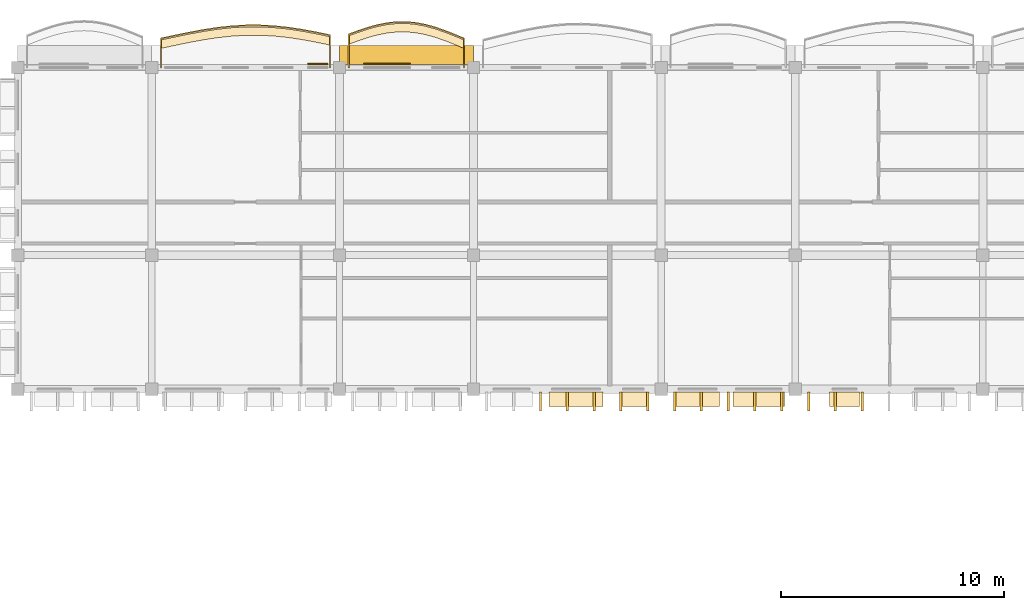
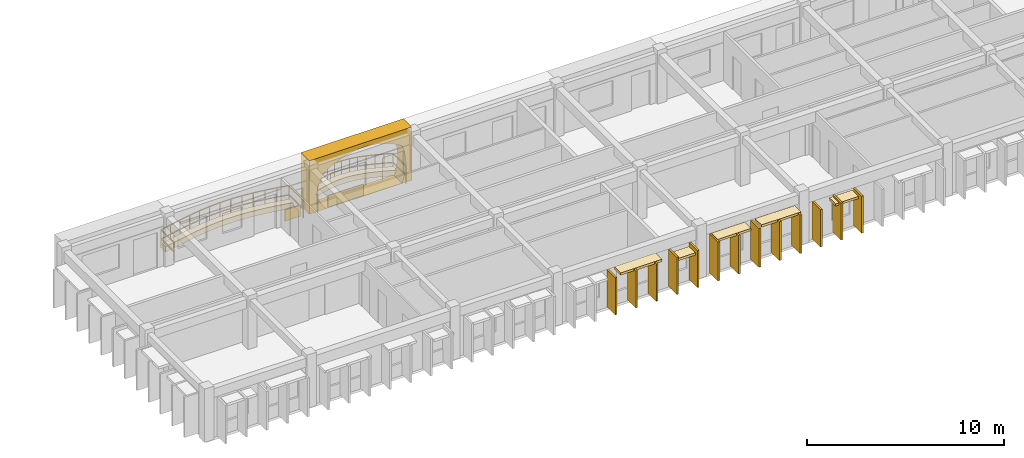
# One storey, part 47 of 59: 23 coverings, 2 railings.
"""IFC4 building model written with IfcOpenShell, lengths in metres."""

from ifc_helpers import new_model, si_unit, direction, frame, origin, origin_2d, place, context, subcontext, project, spatial, polyline, rectangle, outline, extrude, material, layer, layer_set, type_object, element, save


model = new_model("IFC4")

# Units and contexts
model_context = context("Model", 3, precision=1e-05, world=origin(), true_north=direction((0.0, 1.0)))
body_context = subcontext(model_context, "Body", "Model", "MODEL_VIEW")
ifc_project = project(units=[si_unit("LENGTHUNIT", "METRE"), si_unit("AREAUNIT", "SQUARE_METRE"), si_unit("VOLUMEUNIT", "CUBIC_METRE"), si_unit("PLANEANGLEUNIT", "RADIAN"), si_unit("MASSUNIT", "GRAM", prefix="KILO"), si_unit("THERMODYNAMICTEMPERATUREUNIT", "KELVIN")], contexts=[model_context])

# Site, building, storey
site_placement = place(None, origin())
site = spatial("IfcSite", under=ifc_project, at=site_placement, CompositionType="ELEMENT")
building_placement = place(site_placement, origin())
building = spatial("IfcBuilding", under=site, at=building_placement, Name="Thalorik Housing Commons", CompositionType="ELEMENT")
storey_placement = place(building_placement, frame((0.0, 0.0, 27.89990234375)))
storey = spatial("IfcBuildingStorey", under=building, at=storey_placement, Name="L08", CompositionType="ELEMENT", Elevation=27.89990234375)

# Coverings
ifc_material_1 = material(Name="Cobalt blue glazed ceramic facade tile panel", Category="masonry")
ifc_layer_1 = layer(ifc_material_1, 0.06005859375, Name="Cobalt blue glazed ceramic facade tile panel", Category="masonry")
ifc_layer_set_1 = layer_set([ifc_layer_1], Name="Cobalt blue glazed ceramic facade tile panel")
covering_type_1 = type_object("IfcCoveringType", Name="ARC-CLD-BLU-60", PredefinedType="CLADDING", material=ifc_layer_set_1)
covering_1_placement = place(storey_placement, frame((96.93505859375, 123.757568359375, 0.05029296875), z_axis=(0.0, 0.0, 1.0), x_axis=(-1.0, 0.0, 0.0)))
element("IfcCovering", 1, at=covering_1_placement, inside=storey, type_object=covering_type_1, Name="L08 De Stijl Recessed Window Spandrel 2723", PredefinedType="CLADDING", context=body_context, shape_type="SweptSolid", body=[
    extrude(rectangle(XDim=2.080078125, YDim=0.06005859375, at=origin_2d()), origin(), (0.0, 0.0, 1.0), 0.699951171875),
])
ifc_material_2 = material(Name="Precast concrete C40/50", Category="concrete")
ifc_layer_2 = layer(ifc_material_2, 0.85009765625, Name="Precast concrete C40/50", Category="concrete")
ifc_layer_set_2 = layer_set([ifc_layer_2], Name="Precast concrete C40/50")
covering_type_2 = type_object("IfcCoveringType", Name="ARC-CLD-CUSH-850", PredefinedType="CLADDING", material=ifc_layer_set_2)
covering_2_placement = place(storey_placement, frame((97.800048828125, 124.1474609375, 0.0), z_axis=(0.0, 0.0, 1.0), x_axis=(-1.0, 0.0, 0.0)))
element("IfcCovering", 2, at=covering_2_placement, inside=storey, type_object=covering_type_2, Name="L08 White Precast Curved Cushion Bay Frame 2722", PredefinedType="CLADDING", context=body_context, shape_type="SweptSolid", body=[
    extrude(outline(polyline([(-3.0, 0.0), (3.0, 0.0), (3.0, 3.300048828125), (-3.0, 3.300048828125), (-3.0, 0.0)]), holes=[polyline([(2.0400390625, 0.02490234375), (2.3232421875, 0.410888671875), (2.493408203125, 0.796630859375), (2.550048828125, 1.1826171875), (2.493408203125, 1.568359375), (2.3232421875, 1.9541015625), (2.0400390625, 2.340087890625), (1.66748046875, 2.552978515625), (1.294921875, 2.720458984375), (0.922607421875, 2.85595703125), (0.550048828125, 2.956787109375), (0.177490234375, 3.01904296875), (-0.195068359375, 3.0400390625), (-0.5673828125, 3.01904296875), (-0.93994140625, 2.956787109375), (-1.3125, 2.85595703125), (-1.68505859375, 2.720458984375), (-2.0576171875, 2.552978515625), (-2.429931640625, 2.340087890625), (-2.55029296875, 1.9541015625), (-2.62255859375, 1.568359375), (-2.646484375, 1.1826171875), (-2.62255859375, 0.796630859375), (-2.55029296875, 0.410888671875), (-2.429931640625, 0.02490234375), (2.0400390625, 0.02490234375)])]), frame((0.0, 0.425048828125, 0.0), z_axis=(0.0, -1.0, 0.0), x_axis=(1.0, 0.0, 0.0)), (0.0, 0.0, 1.0), 0.85009765625),
])
ifc_layer_3 = layer(ifc_material_2, 0.85009765625, Name="Precast concrete C40/50", Category="concrete")
ifc_layer_set_3 = layer_set([ifc_layer_3], Name="Precast concrete C40/50")
covering_type_3 = type_object("IfcCoveringType", Name="ARC-CLD-FIN-850", PredefinedType="CLADDING", material=ifc_layer_set_3)
for number, where, z_axis, x_axis, name in (
    (3, (103.800048828125, 108.652587890625, 0.0400390625), (0.0, 0.0, 1.0), (1.0, 0.0, 0.0), "L08 Courtyard Precast Vertical Brise-Soleil Fin 2771"),
    (4, (105.0, 108.652587890625, 0.0400390625), (0.0, 0.0, 1.0), (1.0, 0.0, 0.0), "L08 Courtyard Precast Vertical Brise-Soleil Fin 2772"),
    (5, (106.199951171875, 108.652587890625, 0.0400390625), (0.0, 0.0, 1.0), (1.0, 0.0, 0.0), "L08 Courtyard Precast Vertical Brise-Soleil Fin 2773"),
    (6, (107.39990234375, 108.652587890625, 0.0400390625), (0.0, 0.0, 1.0), (1.0, 0.0, 0.0), "L08 Courtyard Precast Vertical Brise-Soleil Fin 2774"),
    (7, (108.60009765625, 108.652587890625, 0.0400390625), (0.0, 0.0, 1.0), (1.0, 0.0, 0.0), "L08 Courtyard Precast Vertical Brise-Soleil Fin 2775"),
):
    element("IfcCovering", number, at=place(storey_placement, frame(where, z_axis=z_axis, x_axis=x_axis)), inside=storey, type_object=covering_type_3, Name=name, PredefinedType="CLADDING", context=body_context, shape_type="SweptSolid", body=[
        extrude(rectangle(XDim=0.110107421875, YDim=0.85009765625, at=origin_2d()), origin(), (0.0, 0.0, 1.0), 2.294921875),
    ])
for number, where, z_axis, x_axis, name in (
    (8, (109.800048828125, 108.652587890625, 0.0400390625), (0.0, 0.0, 1.0), (1.0, 0.0, 0.0), "L08 Courtyard Precast Vertical Brise-Soleil Fin 2779"),
    (9, (111.0, 108.652587890625, 0.0400390625), (0.0, 0.0, 1.0), (1.0, 0.0, 0.0), "L08 Courtyard Precast Vertical Brise-Soleil Fin 2780"),
    (10, (112.199951171875, 108.652587890625, 0.0400390625), (0.0, 0.0, 1.0), (1.0, 0.0, 0.0), "L08 Courtyard Precast Vertical Brise-Soleil Fin 2781"),
    (11, (113.39990234375, 108.652587890625, 0.0400390625), (0.0, 0.0, 1.0), (1.0, 0.0, 0.0), "L08 Courtyard Precast Vertical Brise-Soleil Fin 2782"),
    (12, (114.60009765625, 108.652587890625, 0.0400390625), (0.0, 0.0, 1.0), (1.0, 0.0, 0.0), "L08 Courtyard Precast Vertical Brise-Soleil Fin 2783"),
):
    element("IfcCovering", number, at=place(storey_placement, frame(where, z_axis=z_axis, x_axis=x_axis)), inside=storey, type_object=covering_type_3, Name=name, PredefinedType="CLADDING", context=body_context, shape_type="SweptSolid", body=[
        extrude(rectangle(XDim=0.110107421875, YDim=0.85009765625, at=origin_2d()), origin(), (0.0, 0.0, 1.0), 2.39501953125),
    ])
for number, where, z_axis, x_axis, name in (
    (13, (115.800048828125, 108.652587890625, 0.0400390625), (0.0, 0.0, 1.0), (1.0, 0.0, 0.0), "L08 Courtyard Precast Vertical Brise-Soleil Fin 2786"),
    (14, (117.0, 108.652587890625, 0.0400390625), (0.0, 0.0, 1.0), (1.0, 0.0, 0.0), "L08 Courtyard Precast Vertical Brise-Soleil Fin 2787"),
    (15, (118.199951171875, 108.652587890625, 0.0400390625), (0.0, 0.0, 1.0), (1.0, 0.0, 0.0), "L08 Courtyard Precast Vertical Brise-Soleil Fin 2788"),
):
    element("IfcCovering", number, at=place(storey_placement, frame(where, z_axis=z_axis, x_axis=x_axis)), inside=storey, type_object=covering_type_3, Name=name, PredefinedType="CLADDING", context=body_context, shape_type="SweptSolid", body=[
        extrude(rectangle(XDim=0.110107421875, YDim=0.85009765625, at=origin_2d()), origin(), (0.0, 0.0, 1.0), 2.294921875),
    ])
ifc_layer_4 = layer(ifc_material_2, 0.64990234375, Name="Precast concrete C40/50", Category="concrete")
ifc_layer_set_4 = layer_set([ifc_layer_4], Name="Precast concrete C40/50")
covering_type_4 = type_object("IfcCoveringType", Name="ARC-CLD-HOOD-650", PredefinedType="CLADDING", material=ifc_layer_set_4)
covering_3_placement = place(storey_placement, frame((105.387451171875, 108.75244140625, 2.22509765625), z_axis=(0.0, 0.0, 1.0), x_axis=(1.0, 0.0, 0.0)))
element("IfcCovering", 16, at=covering_3_placement, inside=storey, type_object=covering_type_4, Name="L08 Courtyard Precast Window Sun-Hood 2777", PredefinedType="CLADDING", context=body_context, shape_type="SweptSolid", body=[
    extrude(rectangle(XDim=2.419921875, YDim=0.64990234375, at=origin_2d()), origin(), (0.0, 0.0, 1.0), 0.139892578125),
])
covering_4_placement = place(storey_placement, frame((107.955078125, 108.75244140625, 1.93994140625), z_axis=(0.0, 0.0, 1.0), x_axis=(1.0, 0.0, 0.0)))
element("IfcCovering", 17, at=covering_4_placement, inside=storey, type_object=covering_type_4, Name="L08 Courtyard Precast Window Sun-Hood 2778", PredefinedType="CLADDING", context=body_context, shape_type="SweptSolid", body=[
    extrude(rectangle(XDim=1.18994140625, YDim=0.64990234375, at=origin_2d()), origin(), (0.0, 0.0, 1.0), 0.139892578125),
])
covering_5_placement = place(storey_placement, frame((110.830078125, 108.75244140625, 2.31005859375), z_axis=(0.0, 0.0, 1.0), x_axis=(1.0, 0.0, 0.0)))
element("IfcCovering", 18, at=covering_5_placement, inside=storey, type_object=covering_type_4, Name="L08 Courtyard Precast Window Sun-Hood 2784", PredefinedType="CLADDING", context=body_context, shape_type="SweptSolid", body=[
    extrude(rectangle(XDim=1.9599609375, YDim=0.64990234375, at=origin_2d()), origin(), (0.0, 0.0, 1.0), 0.139892578125),
])
covering_6_placement = place(storey_placement, frame((113.570068359375, 108.75244140625, 2.31005859375), z_axis=(0.0, 0.0, 1.0), x_axis=(1.0, 0.0, 0.0)))
element("IfcCovering", 19, at=covering_6_placement, inside=storey, type_object=covering_type_4, Name="L08 Courtyard Precast Window Sun-Hood 2785", PredefinedType="CLADDING", context=body_context, shape_type="SweptSolid", body=[
    extrude(rectangle(XDim=2.320068359375, YDim=0.64990234375, at=origin_2d()), origin(), (0.0, 0.0, 1.0), 0.139892578125),
])
covering_7_placement = place(storey_placement, frame((117.409912109375, 108.75244140625, 2.09033203125), z_axis=(0.0, 0.0, 1.0), x_axis=(1.0, 0.0, 0.0)))
element("IfcCovering", 20, at=covering_7_placement, inside=storey, type_object=covering_type_4, Name="L08 Courtyard Precast Window Sun-Hood 2793", PredefinedType="CLADDING", context=body_context, shape_type="SweptSolid", body=[
    extrude(rectangle(XDim=1.340087890625, YDim=0.64990234375, at=origin_2d()), origin(), (0.0, 0.0, 1.0), 0.139892578125),
])
ifc_material_3 = material(Name="Mineral ochre architectural terracotta panel", Category="masonry")
ifc_layer_5 = layer(ifc_material_3, 0.06494140625, Name="Mineral ochre architectural terracotta panel", Category="masonry")
ifc_layer_set_5 = layer_set([ifc_layer_5], Name="Mineral ochre architectural terracotta panel")
covering_type_5 = type_object("IfcCoveringType", Name="ARC-CLD-YEL-65", PredefinedType="CLADDING", material=ifc_layer_set_5)
covering_8_placement = place(storey_placement, frame((93.83056640625, 123.760009765625, 0.05029296875), z_axis=(0.0, 0.0, 1.0), x_axis=(-1.0, 0.0, 0.0)))
element("IfcCovering", 21, at=covering_8_placement, inside=storey, type_object=covering_type_5, Name="L08 De Stijl Recessed Window Spandrel 2725", PredefinedType="CLADDING", context=body_context, shape_type="SweptSolid", body=[
    extrude(rectangle(XDim=0.89990234375, YDim=0.06494140625, at=origin_2d()), origin(), (0.0, 0.0, 1.0), 0.699951171875),
])
ifc_material_4 = material(Name="Planted vegetated substrate and terracotta trough", Category="masonry")
ifc_layer_6 = layer(ifc_material_4, 0.340087890625, Name="Planted vegetated substrate and terracotta trough", Category="masonry")
ifc_layer_set_6 = layer_set([ifc_layer_6], Name="Planted vegetated substrate and terracotta trough")
covering_type_6 = type_object("IfcCoveringType", Name="ARC-COV-PLANTER", PredefinedType="USERDEFINED", material=ifc_layer_set_6)
covering_9_placement = place(storey_placement, origin())
element("IfcCovering", 22, at=covering_9_placement, inside=storey, type_object=covering_type_6, Name="L08 Balcony Slab-Edge Planted Trough 5513", ObjectType="PLANTER", PredefinedType="USERDEFINED", context=body_context, shape_type="SweptSolid", body=[
    extrude(outline(polyline([(94.3798828125, 124.978515625), (93.75, 125.110107421875), (93.1201171875, 125.226806640625), (92.489990234375, 125.32080078125), (91.860107421875, 125.386474609375), (91.22998046875, 125.4189453125), (90.60009765625, 125.41650390625), (89.969970703125, 125.379638671875), (89.340087890625, 125.310791015625), (88.7099609375, 125.214599609375), (88.080078125, 125.09765625), (87.449951171875, 124.968017578125), (86.820068359375, 124.834228515625), (86.820068359375, 124.4541015625), (87.449951171875, 124.587890625), (88.080078125, 124.717529296875), (88.7099609375, 124.83447265625), (89.340087890625, 124.9306640625), (89.969970703125, 124.99951171875), (90.60009765625, 125.03662109375), (91.22998046875, 125.038818359375), (91.860107421875, 125.00634765625), (92.489990234375, 124.94091796875), (93.1201171875, 124.8466796875), (93.75, 124.72998046875), (94.3798828125, 124.5986328125), (94.3798828125, 124.978515625)])), origin(), (0.0, 0.0, 1.0), 0.340087890625),
])
covering_10_placement = place(storey_placement, origin())
element("IfcCovering", 23, at=covering_10_placement, inside=storey, type_object=covering_type_6, Name="L08 Balcony Slab-Edge Planted Trough 5514", ObjectType="PLANTER", PredefinedType="USERDEFINED", context=body_context, shape_type="SweptSolid", body=[
    extrude(outline(polyline([(100.3798828125, 124.83154296875), (99.949951171875, 125.009521484375), (99.52001953125, 125.17822265625), (99.090087890625, 125.3271484375), (98.659912109375, 125.446533203125), (98.22998046875, 125.529296875), (97.800048828125, 125.570556640625), (97.3701171875, 125.56787109375), (96.93994140625, 125.522216796875), (96.510009765625, 125.43701171875), (96.080078125, 125.31884765625), (95.64990234375, 125.17578125), (95.219970703125, 125.017578125), (95.219970703125, 124.6376953125), (95.64990234375, 124.795654296875), (96.080078125, 124.938720703125), (96.510009765625, 125.05712890625), (96.93994140625, 125.14208984375), (97.3701171875, 125.187744140625), (97.800048828125, 125.1904296875), (98.22998046875, 125.1494140625), (98.659912109375, 125.066650390625), (99.090087890625, 124.947021484375), (99.52001953125, 124.798095703125), (99.949951171875, 124.62939453125), (100.3798828125, 124.45166015625), (100.3798828125, 124.83154296875)])), origin(), (0.0, 0.0, 1.0), 0.340087890625),
])

# Railings
ifc_material_5 = material(Name="Steel S355", Category="steel")
railing_type_1 = type_object("IfcRailingType", Name="ARC-RL-BAL-112", PredefinedType="BALUSTRADE", material=ifc_material_5)
railing_1_placement = place(storey_placement, frame((100.3798828125, 123.60009765625, 0.0)))
element("IfcRailing", 24, at=railing_1_placement, inside=storey, type_object=railing_type_1, Name="L08 Cushion Balcony Guardrail 198", PredefinedType="BALUSTRADE", context=body_context, shape_type="SweptSolid", body=[
    extrude(rectangle(XDim=0.050048828125, YDim=0.050048828125, at=origin_2d()), frame((0.0, 0.0, 1.09521484375), z_axis=(0.0, 1.0, 0.0), x_axis=(-1.0, 0.0, 0.0)), (0.0, 0.0, 1.0), 1.301513671875),
    extrude(rectangle(XDim=0.050048828125, YDim=0.050048828125, at=origin_2d()), frame((0.0, 0.0, 0.53515625), z_axis=(0.0, 1.0, 0.0), x_axis=(-1.0, 0.0, 0.0)), (0.0, 0.0, 1.0), 1.301513671875),
    extrude(rectangle(XDim=0.050048828125, YDim=0.050048828125, at=origin_2d()), frame((0.0, 1.301513671875, 1.09521484375), z_axis=(-0.923959293734, 0.382490814953, 0.0), x_axis=(-0.382490814953, -0.923959293734, 0.0)), (0.0, 0.0, 1.0), 0.46533203125),
    extrude(rectangle(XDim=0.050048828125, YDim=0.050048828125, at=origin_2d()), frame((0.0, 1.301513671875, 0.53515625), z_axis=(-0.923959293734, 0.382490814953, 0.0), x_axis=(-0.382490814953, -0.923959293734, 0.0)), (0.0, 0.0, 1.0), 0.46533203125),
    extrude(rectangle(XDim=0.050048828125, YDim=0.050048828125, at=origin_2d()), frame((-0.429931640625, 1.4794921875, 1.09521484375), z_axis=(-0.930899197283, 0.365276175651, 0.0), x_axis=(-0.365276175651, -0.930899197283, 0.0)), (0.0, 0.0, 1.0), 0.4619140625),
    extrude(rectangle(XDim=0.050048828125, YDim=0.050048828125, at=origin_2d()), frame((-0.429931640625, 1.4794921875, 0.53515625), z_axis=(-0.930899197283, 0.365276175651, 0.0), x_axis=(-0.365276175651, -0.930899197283, 0.0)), (0.0, 0.0, 1.0), 0.4619140625),
    extrude(rectangle(XDim=0.050048828125, YDim=0.050048828125, at=origin_2d()), frame((-0.85986328125, 1.648193359375, 1.09521484375), z_axis=(-0.944915878201, 0.327313279786, 0.0), x_axis=(-0.327313279786, -0.944915878201, 0.0)), (0.0, 0.0, 1.0), 0.455078125),
    extrude(rectangle(XDim=0.050048828125, YDim=0.050048828125, at=origin_2d()), frame((-0.85986328125, 1.648193359375, 0.53515625), z_axis=(-0.944915878201, 0.327313279786, 0.0), x_axis=(-0.327313279786, -0.944915878201, 0.0)), (0.0, 0.0, 1.0), 0.455078125),
    extrude(rectangle(XDim=0.050048828125, YDim=0.050048828125, at=origin_2d()), frame((-1.289794921875, 1.797119140625, 1.09521484375), z_axis=(-0.963580561434, 0.267418214836, 0.0), x_axis=(-0.267418214836, -0.963580561434, 0.0)), (0.0, 0.0, 1.0), 0.446533203125),
    extrude(rectangle(XDim=0.050048828125, YDim=0.050048828125, at=origin_2d()), frame((-1.289794921875, 1.797119140625, 0.53515625), z_axis=(-0.963580561434, 0.267418214836, 0.0), x_axis=(-0.267418214836, -0.963580561434, 0.0)), (0.0, 0.0, 1.0), 0.446533203125),
    extrude(rectangle(XDim=0.050048828125, YDim=0.050048828125, at=origin_2d()), frame((-1.719970703125, 1.91650390625, 1.09521484375), z_axis=(-0.98197063341, 0.189033529089, 0.0), x_axis=(-0.189033529089, -0.98197063341, 0.0)), (0.0, 0.0, 1.0), 0.437744140625),
    extrude(rectangle(XDim=0.050048828125, YDim=0.050048828125, at=origin_2d()), frame((-1.719970703125, 1.91650390625, 0.53515625), z_axis=(-0.98197063341, 0.189033529089, 0.0), x_axis=(-0.189033529089, -0.98197063341, 0.0)), (0.0, 0.0, 1.0), 0.437744140625),
    extrude(rectangle(XDim=0.050048828125, YDim=0.050048828125, at=origin_2d()), frame((-2.14990234375, 1.999267578125, 1.09521484375), z_axis=(-0.995480215882, 0.094969151771, 0.0), x_axis=(-0.094969151771, -0.995480215882, 0.0)), (0.0, 0.0, 1.0), 0.431884765625),
    extrude(rectangle(XDim=0.050048828125, YDim=0.050048828125, at=origin_2d()), frame((-2.14990234375, 1.999267578125, 0.53515625), z_axis=(-0.995480215882, 0.094969151771, 0.0), x_axis=(-0.094969151771, -0.995480215882, 0.0)), (0.0, 0.0, 1.0), 0.431884765625),
    extrude(rectangle(XDim=0.050048828125, YDim=0.050048828125, at=origin_2d()), frame((-2.579833984375, 2.040283203125, 1.09521484375), z_axis=(-0.999980491497, -0.006246329021, 0.0), x_axis=(0.006246329021, -0.999980491497, 0.0)), (0.0, 0.0, 1.0), 0.429931640625),
    extrude(rectangle(XDim=0.050048828125, YDim=0.050048828125, at=origin_2d()), frame((-2.579833984375, 2.040283203125, 0.53515625), z_axis=(-0.999980491497, -0.006246329021, 0.0), x_axis=(0.006246329021, -0.999980491497, 0.0)), (0.0, 0.0, 1.0), 0.429931640625),
    extrude(rectangle(XDim=0.050048828125, YDim=0.050048828125, at=origin_2d()), frame((-3.009765625, 2.03759765625, 1.09521484375), z_axis=(-0.994415407692, -0.105536708989, 0.0), x_axis=(0.105536708989, -0.994415407692, 0.0)), (0.0, 0.0, 1.0), 0.4326171875),
    extrude(rectangle(XDim=0.050048828125, YDim=0.050048828125, at=origin_2d()), frame((-3.009765625, 2.03759765625, 0.53515625), z_axis=(-0.994415407692, -0.105536708989, 0.0), x_axis=(0.105536708989, -0.994415407692, 0.0)), (0.0, 0.0, 1.0), 0.4326171875),
    extrude(rectangle(XDim=0.050048828125, YDim=0.050048828125, at=origin_2d()), frame((-3.43994140625, 1.991943359375, 1.09521484375), z_axis=(-0.981028048733, -0.193865849494, 0.0), x_axis=(0.193865849494, -0.981028048733, 0.0)), (0.0, 0.0, 1.0), 0.438232421875),
    extrude(rectangle(XDim=0.050048828125, YDim=0.050048828125, at=origin_2d()), frame((-3.43994140625, 1.991943359375, 0.53515625), z_axis=(-0.981028048733, -0.193865849494, 0.0), x_axis=(0.193865849494, -0.981028048733, 0.0)), (0.0, 0.0, 1.0), 0.438232421875),
    extrude(rectangle(XDim=0.050048828125, YDim=0.050048828125, at=origin_2d()), frame((-3.869873046875, 1.906982421875, 1.09521484375), z_axis=(-0.964243880098, -0.265016489476, 0.0), x_axis=(0.265016489476, -0.964243880098, 0.0)), (0.0, 0.0, 1.0), 0.44580078125),
    extrude(rectangle(XDim=0.050048828125, YDim=0.050048828125, at=origin_2d()), frame((-3.869873046875, 1.906982421875, 0.53515625), z_axis=(-0.964243880098, -0.265016489476, 0.0), x_axis=(0.265016489476, -0.964243880098, 0.0)), (0.0, 0.0, 1.0), 0.44580078125),
    extrude(rectangle(XDim=0.050048828125, YDim=0.050048828125, at=origin_2d()), frame((-4.2998046875, 1.788818359375, 1.09521484375), z_axis=(-0.94873712863, -0.316066228437, 0.0), x_axis=(0.316066228437, -0.94873712863, 0.0)), (0.0, 0.0, 1.0), 0.453369140625),
    extrude(rectangle(XDim=0.050048828125, YDim=0.050048828125, at=origin_2d()), frame((-4.2998046875, 1.788818359375, 0.53515625), z_axis=(-0.94873712863, -0.316066228437, 0.0), x_axis=(0.316066228437, -0.94873712863, 0.0)), (0.0, 0.0, 1.0), 0.453369140625),
    extrude(rectangle(XDim=0.050048828125, YDim=0.050048828125, at=origin_2d()), frame((-4.72998046875, 1.6455078125, 1.09521484375), z_axis=(-0.938652153889, -0.34486538533, 0.0), x_axis=(0.34486538533, -0.938652153889, 0.0)), (0.0, 0.0, 1.0), 0.4580078125),
    extrude(rectangle(XDim=0.050048828125, YDim=0.050048828125, at=origin_2d()), frame((-4.72998046875, 1.6455078125, 0.53515625), z_axis=(-0.938652153889, -0.34486538533, 0.0), x_axis=(0.34486538533, -0.938652153889, 0.0)), (0.0, 0.0, 1.0), 0.4580078125),
    extrude(rectangle(XDim=0.050048828125, YDim=0.050048828125, at=origin_2d()), frame((-5.159912109375, 1.487548828125, 1.09521484375), z_axis=(0.0, -1.0, 0.0), x_axis=(1.0, 0.0, 0.0)), (0.0, 0.0, 1.0), 1.487548828125),
    extrude(rectangle(XDim=0.050048828125, YDim=0.050048828125, at=origin_2d()), frame((-5.159912109375, 1.487548828125, 0.53515625), z_axis=(0.0, -1.0, 0.0), x_axis=(1.0, 0.0, 0.0)), (0.0, 0.0, 1.0), 1.487548828125),
    extrude(rectangle(XDim=0.0419921875, YDim=0.0419921875, at=origin_2d()), origin(), (0.0, 0.0, 1.0), 1.070068359375),
    extrude(rectangle(XDim=0.0419921875, YDim=0.0419921875, at=origin_2d()), frame((0.0, 1.301513671875, 0.0)), (0.0, 0.0, 1.0), 1.070068359375),
    extrude(rectangle(XDim=0.0419921875, YDim=0.0419921875, at=origin_2d()), frame((-0.429931640625, 1.4794921875, 0.0)), (0.0, 0.0, 1.0), 1.070068359375),
    extrude(rectangle(XDim=0.0419921875, YDim=0.0419921875, at=origin_2d()), frame((-0.85986328125, 1.648193359375, 0.0)), (0.0, 0.0, 1.0), 1.070068359375),
    extrude(rectangle(XDim=0.0419921875, YDim=0.0419921875, at=origin_2d()), frame((-1.289794921875, 1.797119140625, 0.0)), (0.0, 0.0, 1.0), 1.070068359375),
    extrude(rectangle(XDim=0.0419921875, YDim=0.0419921875, at=origin_2d()), frame((-1.719970703125, 1.91650390625, 0.0)), (0.0, 0.0, 1.0), 1.070068359375),
    extrude(rectangle(XDim=0.0419921875, YDim=0.0419921875, at=origin_2d()), frame((-2.14990234375, 1.999267578125, 0.0)), (0.0, 0.0, 1.0), 1.070068359375),
    extrude(rectangle(XDim=0.0419921875, YDim=0.0419921875, at=origin_2d()), frame((-2.579833984375, 2.040283203125, 0.0)), (0.0, 0.0, 1.0), 1.070068359375),
    extrude(rectangle(XDim=0.0419921875, YDim=0.0419921875, at=origin_2d()), frame((-3.009765625, 2.03759765625, 0.0)), (0.0, 0.0, 1.0), 1.070068359375),
    extrude(rectangle(XDim=0.0419921875, YDim=0.0419921875, at=origin_2d()), frame((-3.43994140625, 1.991943359375, 0.0)), (0.0, 0.0, 1.0), 1.070068359375),
    extrude(rectangle(XDim=0.0419921875, YDim=0.0419921875, at=origin_2d()), frame((-3.869873046875, 1.906982421875, 0.0)), (0.0, 0.0, 1.0), 1.070068359375),
    extrude(rectangle(XDim=0.0419921875, YDim=0.0419921875, at=origin_2d()), frame((-4.2998046875, 1.788818359375, 0.0)), (0.0, 0.0, 1.0), 1.070068359375),
    extrude(rectangle(XDim=0.0419921875, YDim=0.0419921875, at=origin_2d()), frame((-4.72998046875, 1.6455078125, 0.0)), (0.0, 0.0, 1.0), 1.070068359375),
    extrude(rectangle(XDim=0.0419921875, YDim=0.0419921875, at=origin_2d()), frame((-5.159912109375, 1.487548828125, 0.0)), (0.0, 0.0, 1.0), 1.070068359375),
    extrude(rectangle(XDim=0.0419921875, YDim=0.0419921875, at=origin_2d()), frame((-5.159912109375, 0.0, 0.0)), (0.0, 0.0, 1.0), 1.070068359375),
])
railing_type_2 = type_object("IfcRailingType", Name="ARC-RL-BAL-115", PredefinedType="BALUSTRADE", material=ifc_material_5)
railing_2_placement = place(storey_placement, frame((94.3798828125, 123.60009765625, 0.0)))
element("IfcRailing", 25, at=railing_2_placement, inside=storey, type_object=railing_type_2, Name="L08 Cushion Balcony Guardrail 197", PredefinedType="BALUSTRADE", context=body_context, shape_type="SweptSolid", body=[
    extrude(rectangle(XDim=0.050048828125, YDim=0.050048828125, at=origin_2d()), frame((0.0, 0.0, 1.125), z_axis=(0.0, 1.0, 0.0), x_axis=(-1.0, 0.0, 0.0)), (0.0, 0.0, 1.0), 1.448486328125),
    extrude(rectangle(XDim=0.050048828125, YDim=0.050048828125, at=origin_2d()), frame((0.0, 0.0, 0.5498046875), z_axis=(0.0, 1.0, 0.0), x_axis=(-1.0, 0.0, 0.0)), (0.0, 0.0, 1.0), 1.448486328125),
    extrude(rectangle(XDim=0.050048828125, YDim=0.050048828125, at=origin_2d()), frame((0.0, 1.448486328125, 1.125), z_axis=(-0.978942522478, 0.204136076393, 0.0), x_axis=(-0.204136076393, -0.978942522478, 0.0)), (0.0, 0.0, 1.0), 0.643310546875),
    extrude(rectangle(XDim=0.050048828125, YDim=0.050048828125, at=origin_2d()), frame((0.0, 1.448486328125, 0.5498046875), z_axis=(-0.978942522478, 0.204136076393, 0.0), x_axis=(-0.204136076393, -0.978942522478, 0.0)), (0.0, 0.0, 1.0), 0.643310546875),
    extrude(rectangle(XDim=0.050048828125, YDim=0.050048828125, at=origin_2d()), frame((-0.6298828125, 1.579833984375, 1.125), z_axis=(-0.983266838, 0.182171142854, 0.0), x_axis=(-0.182171142854, -0.983266838, 0.0)), (0.0, 0.0, 1.0), 0.640625),
    extrude(rectangle(XDim=0.050048828125, YDim=0.050048828125, at=origin_2d()), frame((-0.6298828125, 1.579833984375, 0.5498046875), z_axis=(-0.983266838, 0.182171142854, 0.0), x_axis=(-0.182171142854, -0.983266838, 0.0)), (0.0, 0.0, 1.0), 0.640625),
    extrude(rectangle(XDim=0.050048828125, YDim=0.050048828125, at=origin_2d()), frame((-1.259765625, 1.696533203125, 1.125), z_axis=(-0.989000903893, 0.147909472647, 0.0), x_axis=(-0.147909472647, -0.989000903893, 0.0)), (0.0, 0.0, 1.0), 0.63720703125),
    extrude(rectangle(XDim=0.050048828125, YDim=0.050048828125, at=origin_2d()), frame((-1.259765625, 1.696533203125, 0.5498046875), z_axis=(-0.989000903893, 0.147909472647, 0.0), x_axis=(-0.147909472647, -0.989000903893, 0.0)), (0.0, 0.0, 1.0), 0.63720703125),
    extrude(rectangle(XDim=0.050048828125, YDim=0.050048828125, at=origin_2d()), frame((-1.889892578125, 1.790771484375, 1.125), z_axis=(-0.994648163406, 0.10332004178, 0.0), x_axis=(-0.10332004178, -0.994648163406, 0.0)), (0.0, 0.0, 1.0), 0.63330078125),
    extrude(rectangle(XDim=0.050048828125, YDim=0.050048828125, at=origin_2d()), frame((-1.889892578125, 1.790771484375, 0.5498046875), z_axis=(-0.994648163406, 0.10332004178, 0.0), x_axis=(-0.10332004178, -0.994648163406, 0.0)), (0.0, 0.0, 1.0), 0.63330078125),
    extrude(rectangle(XDim=0.050048828125, YDim=0.050048828125, at=origin_2d()), frame((-2.519775390625, 1.856201171875, 1.125), z_axis=(-0.998654986307, 0.05184803106, 0.0), x_axis=(-0.05184803106, -0.998654986307, 0.0)), (0.0, 0.0, 1.0), 0.630859375),
    extrude(rectangle(XDim=0.050048828125, YDim=0.050048828125, at=origin_2d()), frame((-2.519775390625, 1.856201171875, 0.5498046875), z_axis=(-0.998654986307, 0.05184803106, 0.0), x_axis=(-0.05184803106, -0.998654986307, 0.0)), (0.0, 0.0, 1.0), 0.630859375),
    extrude(rectangle(XDim=0.050048828125, YDim=0.050048828125, at=origin_2d()), frame((-3.14990234375, 1.888916015625, 1.125), z_axis=(-0.999992488517, -0.003875939878, 0.0), x_axis=(0.003875939878, -0.999992488517, 0.0)), (0.0, 0.0, 1.0), 0.6298828125),
    extrude(rectangle(XDim=0.050048828125, YDim=0.050048828125, at=origin_2d()), frame((-3.14990234375, 1.888916015625, 0.5498046875), z_axis=(-0.999992488517, -0.003875939878, 0.0), x_axis=(0.003875939878, -0.999992488517, 0.0)), (0.0, 0.0, 1.0), 0.6298828125),
    extrude(rectangle(XDim=0.050048828125, YDim=0.050048828125, at=origin_2d()), frame((-3.77978515625, 1.886474609375, 1.125), z_axis=(-0.998292995103, -0.058404588245, 0.0), x_axis=(0.058404588245, -0.998292995103, 0.0)), (0.0, 0.0, 1.0), 0.631103515625),
    extrude(rectangle(XDim=0.050048828125, YDim=0.050048828125, at=origin_2d()), frame((-3.77978515625, 1.886474609375, 0.5498046875), z_axis=(-0.998292995103, -0.058404588245, 0.0), x_axis=(0.058404588245, -0.998292995103, 0.0)), (0.0, 0.0, 1.0), 0.631103515625),
    extrude(rectangle(XDim=0.050048828125, YDim=0.050048828125, at=origin_2d()), frame((-4.409912109375, 1.849609375, 1.125), z_axis=(-0.9940378091, -0.109035930223, 0.0), x_axis=(0.109035930223, -0.9940378091, 0.0)), (0.0, 0.0, 1.0), 0.633544921875),
    extrude(rectangle(XDim=0.050048828125, YDim=0.050048828125, at=origin_2d()), frame((-4.409912109375, 1.849609375, 0.5498046875), z_axis=(-0.9940378091, -0.109035930223, 0.0), x_axis=(0.109035930223, -0.9940378091, 0.0)), (0.0, 0.0, 1.0), 0.633544921875),
    extrude(rectangle(XDim=0.050048828125, YDim=0.050048828125, at=origin_2d()), frame((-5.039794921875, 1.780517578125, 1.125), z_axis=(-0.988548141505, -0.150905837951, 0.0), x_axis=(0.150905837951, -0.988548141505, 0.0)), (0.0, 0.0, 1.0), 0.637451171875),
    extrude(rectangle(XDim=0.050048828125, YDim=0.050048828125, at=origin_2d()), frame((-5.039794921875, 1.780517578125, 0.5498046875), z_axis=(-0.988548141505, -0.150905837951, 0.0), x_axis=(0.150905837951, -0.988548141505, 0.0)), (0.0, 0.0, 1.0), 0.637451171875),
    extrude(rectangle(XDim=0.050048828125, YDim=0.050048828125, at=origin_2d()), frame((-5.669921875, 1.684326171875, 1.125), z_axis=(-0.983198507998, -0.182539567958, 0.0), x_axis=(0.182539567958, -0.983198507998, 0.0)), (0.0, 0.0, 1.0), 0.640625),
    extrude(rectangle(XDim=0.050048828125, YDim=0.050048828125, at=origin_2d()), frame((-5.669921875, 1.684326171875, 0.5498046875), z_axis=(-0.983198507998, -0.182539567958, 0.0), x_axis=(0.182539567958, -0.983198507998, 0.0)), (0.0, 0.0, 1.0), 0.640625),
    extrude(rectangle(XDim=0.050048828125, YDim=0.050048828125, at=origin_2d()), frame((-6.2998046875, 1.5673828125, 1.125), z_axis=(-0.97948569259, -0.201513716685, 0.0), x_axis=(0.201513716685, -0.97948569259, 0.0)), (0.0, 0.0, 1.0), 0.643310546875),
    extrude(rectangle(XDim=0.050048828125, YDim=0.050048828125, at=origin_2d()), frame((-6.2998046875, 1.5673828125, 0.5498046875), z_axis=(-0.97948569259, -0.201513716685, 0.0), x_axis=(0.201513716685, -0.97948569259, 0.0)), (0.0, 0.0, 1.0), 0.643310546875),
    extrude(rectangle(XDim=0.050048828125, YDim=0.050048828125, at=origin_2d()), frame((-6.929931640625, 1.437744140625, 1.125), z_axis=(-0.97825511098, -0.207405250274, 0.0), x_axis=(0.207405250274, -0.97825511098, 0.0)), (0.0, 0.0, 1.0), 0.643798828125),
    extrude(rectangle(XDim=0.050048828125, YDim=0.050048828125, at=origin_2d()), frame((-6.929931640625, 1.437744140625, 0.5498046875), z_axis=(-0.97825511098, -0.207405250274, 0.0), x_axis=(0.207405250274, -0.97825511098, 0.0)), (0.0, 0.0, 1.0), 0.643798828125),
    extrude(rectangle(XDim=0.050048828125, YDim=0.050048828125, at=origin_2d()), frame((-7.559814453125, 1.30419921875, 1.125), z_axis=(0.0, -1.0, 0.0), x_axis=(1.0, 0.0, 0.0)), (0.0, 0.0, 1.0), 1.30419921875),
    extrude(rectangle(XDim=0.050048828125, YDim=0.050048828125, at=origin_2d()), frame((-7.559814453125, 1.30419921875, 0.5498046875), z_axis=(0.0, -1.0, 0.0), x_axis=(1.0, 0.0, 0.0)), (0.0, 0.0, 1.0), 1.30419921875),
    extrude(rectangle(XDim=0.0419921875, YDim=0.0419921875, at=origin_2d()), origin(), (0.0, 0.0, 1.0), 1.099853515625),
    extrude(rectangle(XDim=0.0419921875, YDim=0.0419921875, at=origin_2d()), frame((0.0, 1.448486328125, 0.0)), (0.0, 0.0, 1.0), 1.099853515625),
    extrude(rectangle(XDim=0.0419921875, YDim=0.0419921875, at=origin_2d()), frame((-0.6298828125, 1.579833984375, 0.0)), (0.0, 0.0, 1.0), 1.099853515625),
    extrude(rectangle(XDim=0.0419921875, YDim=0.0419921875, at=origin_2d()), frame((-1.259765625, 1.696533203125, 0.0)), (0.0, 0.0, 1.0), 1.099853515625),
    extrude(rectangle(XDim=0.0419921875, YDim=0.0419921875, at=origin_2d()), frame((-1.889892578125, 1.790771484375, 0.0)), (0.0, 0.0, 1.0), 1.099853515625),
    extrude(rectangle(XDim=0.0419921875, YDim=0.0419921875, at=origin_2d()), frame((-2.519775390625, 1.856201171875, 0.0)), (0.0, 0.0, 1.0), 1.099853515625),
    extrude(rectangle(XDim=0.0419921875, YDim=0.0419921875, at=origin_2d()), frame((-3.14990234375, 1.888916015625, 0.0)), (0.0, 0.0, 1.0), 1.099853515625),
    extrude(rectangle(XDim=0.0419921875, YDim=0.0419921875, at=origin_2d()), frame((-3.77978515625, 1.886474609375, 0.0)), (0.0, 0.0, 1.0), 1.099853515625),
    extrude(rectangle(XDim=0.0419921875, YDim=0.0419921875, at=origin_2d()), frame((-4.409912109375, 1.849609375, 0.0)), (0.0, 0.0, 1.0), 1.099853515625),
    extrude(rectangle(XDim=0.0419921875, YDim=0.0419921875, at=origin_2d()), frame((-5.039794921875, 1.780517578125, 0.0)), (0.0, 0.0, 1.0), 1.099853515625),
    extrude(rectangle(XDim=0.0419921875, YDim=0.0419921875, at=origin_2d()), frame((-5.669921875, 1.684326171875, 0.0)), (0.0, 0.0, 1.0), 1.099853515625),
    extrude(rectangle(XDim=0.0419921875, YDim=0.0419921875, at=origin_2d()), frame((-6.2998046875, 1.5673828125, 0.0)), (0.0, 0.0, 1.0), 1.099853515625),
    extrude(rectangle(XDim=0.0419921875, YDim=0.0419921875, at=origin_2d()), frame((-6.929931640625, 1.437744140625, 0.0)), (0.0, 0.0, 1.0), 1.099853515625),
    extrude(rectangle(XDim=0.0419921875, YDim=0.0419921875, at=origin_2d()), frame((-7.559814453125, 1.30419921875, 0.0)), (0.0, 0.0, 1.0), 1.099853515625),
    extrude(rectangle(XDim=0.0419921875, YDim=0.0419921875, at=origin_2d()), frame((-7.559814453125, 0.0, 0.0)), (0.0, 0.0, 1.0), 1.099853515625),
])

save(model, "model.ifc")
